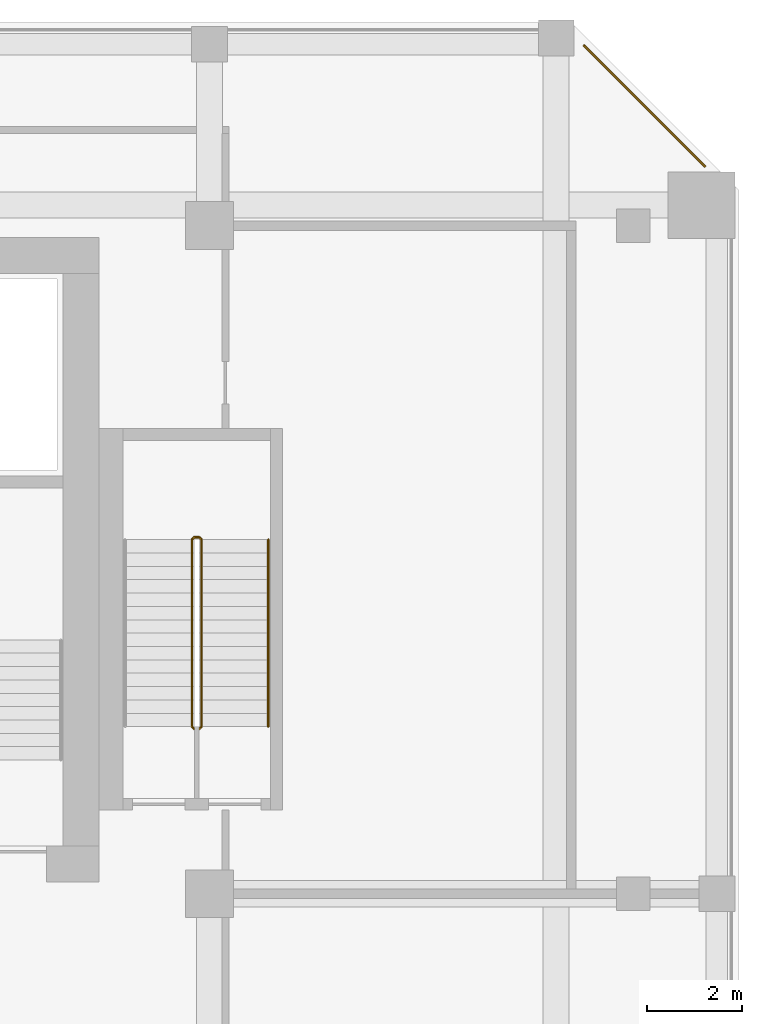
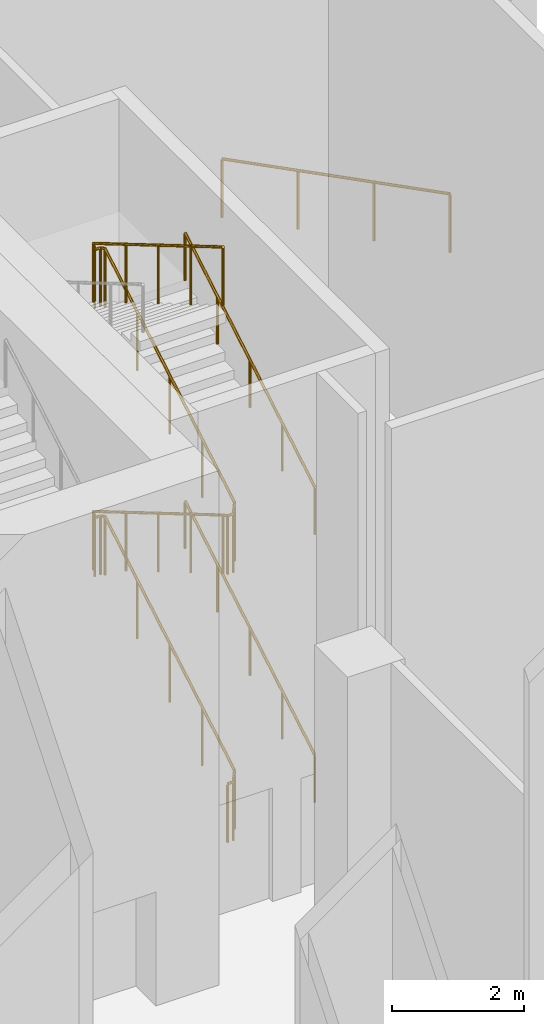
# One storey, part 12 of 12: 4 railings.
"""IFC4 building model written with IfcOpenShell, lengths in metres."""

from ifc_helpers import new_model, si_unit, direction, frame, origin, origin_2d, place, context, subcontext, project, spatial, circle, extrude, material, type_object, element, save


model = new_model("IFC4")

# Units and contexts
model_context = context("Model", 3, precision=1e-05, world=origin(), true_north=direction((0.0, 1.0)))
body_context = subcontext(model_context, "Body", "Model", "MODEL_VIEW")
ifc_project = project(units=[si_unit("LENGTHUNIT", "METRE"), si_unit("AREAUNIT", "SQUARE_METRE"), si_unit("VOLUMEUNIT", "CUBIC_METRE"), si_unit("PLANEANGLEUNIT", "RADIAN"), si_unit("MASSUNIT", "GRAM", prefix="KILO")], contexts=[model_context])

# Site, building, storey
site_placement = place(None, origin())
site = spatial("IfcSite", under=ifc_project, at=site_placement, CompositionType="ELEMENT")
building_placement = place(site_placement, origin())
building = spatial("IfcBuilding", under=site, at=building_placement, Name="Kilnfold Tower and Market Hall", CompositionType="ELEMENT")
storey_placement = place(building_placement, frame((0.0, 0.0, 223.699951171875)))
storey = spatial("IfcBuildingStorey", under=building, at=storey_placement, Name="L55 Refuge Wind Floor", CompositionType="ELEMENT", Elevation=223.699951171875)

# Railings
ifc_material_1 = material(Name="Stainless steel 316", Category="steel")
railing_type_1 = type_object("IfcRailingType", Name="CORE STAIR GUARD 1100", PredefinedType="GUARDRAIL", material=ifc_material_1)
railing_1_placement = place(storey_placement, frame((19.85009765625, 11.449951171875, 0.0)))
element("IfcRailing", 1, at=railing_1_placement, inside=storey, type_object=railing_type_1, Name="L55 Refuge Wind Floor ST5 stair guard 1", PredefinedType="GUARDRAIL", context=body_context, shape_type="SweptSolid", body=[
    extrude(circle(Radius=0.02392578125, at=origin_2d()), frame((0.0, 0.0, 1.076171875), z_axis=(1.0, 0.0, 0.0), x_axis=(0.0, 1.0, 0.0)), (0.0, 0.0, 1.0), 0.099853515625),
    extrude(circle(Radius=0.02392578125, at=origin_2d()), frame((0.099853515625, 0.0, 1.076171875), z_axis=(0.278705021027, 0.278705021027, 0.919046801044), x_axis=(-0.707106781187, 0.707106781187, 0.0)), (0.0, 0.0, 1.0), 0.1796875),
    extrude(circle(Radius=0.02392578125, at=origin_2d()), frame((0.14990234375, 0.050048828125, 1.2412109375), z_axis=(0.0, 0.861528402928, 0.507709376464), x_axis=(-1.0, 0.0, 0.0)), (0.0, 0.0, 1.0), 4.550048828125),
    extrude(circle(Radius=0.02392578125, at=origin_2d()), frame((0.14990234375, 3.969970703125, 3.55126953125), z_axis=(-0.707106781187, 0.707106781187, 0.0), x_axis=(-0.707106781187, -0.707106781187, 0.0)), (0.0, 0.0, 1.0), 0.07080078125),
    extrude(circle(Radius=0.02392578125, at=origin_2d()), frame((0.099853515625, 4.02001953125, 3.55126953125), z_axis=(-1.0, 0.0, 0.0), x_axis=(0.0, -1.0, 0.0)), (0.0, 0.0, 1.0), 0.099853515625),
    extrude(circle(Radius=0.02392578125, at=origin_2d()), frame((0.0, 4.02001953125, 3.55126953125), z_axis=(-0.278705021027, -0.278705021027, 0.919046801044), x_axis=(0.707106781187, -0.707106781187, 0.0)), (0.0, 0.0, 1.0), 0.1796875),
    extrude(circle(Radius=0.02392578125, at=origin_2d()), frame((-0.050048828125, 3.969970703125, 3.71630859375), z_axis=(0.0, -0.861551872859, 0.507669548401), x_axis=(1.0, 0.0, 0.0)), (0.0, 0.0, 1.0), 4.5498046875),
    extrude(circle(Radius=0.02392578125, at=origin_2d()), frame((-0.050048828125, 0.050048828125, 6.02587890625), z_axis=(0.707106781187, -0.707106781187, 0.0), x_axis=(0.707106781187, 0.707106781187, 0.0)), (0.0, 0.0, 1.0), 0.07080078125),
    extrude(circle(Radius=0.02392578125, at=origin_2d()), frame((0.0, 0.0, 6.02587890625), z_axis=(1.0, 0.0, 0.0), x_axis=(0.0, 1.0, 0.0)), (0.0, 0.0, 1.0), 0.099853515625),
    extrude(circle(Radius=0.02392578125, at=origin_2d()), frame((0.099853515625, 0.0, 6.02587890625), z_axis=(0.278705021027, 0.278705021027, 0.919046801044), x_axis=(-0.707106781187, 0.707106781187, 0.0)), (0.0, 0.0, 1.0), 0.1796875),
    extrude(circle(Radius=0.02392578125, at=origin_2d()), frame((0.14990234375, 0.050048828125, 6.19091796875), z_axis=(0.0, 0.861528402928, 0.507709376464), x_axis=(-1.0, 0.0, 0.0)), (0.0, 0.0, 1.0), 4.550048828125),
    extrude(circle(Radius=0.02392578125, at=origin_2d()), frame((0.14990234375, 3.969970703125, 8.5009765625), z_axis=(-0.707106781187, 0.707106781187, 0.0), x_axis=(-0.707106781187, -0.707106781187, 0.0)), (0.0, 0.0, 1.0), 0.07080078125),
    extrude(circle(Radius=0.02392578125, at=origin_2d()), frame((0.099853515625, 4.02001953125, 8.5009765625), z_axis=(-1.0, 0.0, 0.0), x_axis=(0.0, -1.0, 0.0)), (0.0, 0.0, 1.0), 0.099853515625),
    extrude(circle(Radius=0.02392578125, at=origin_2d()), frame((0.0, 4.02001953125, 8.5009765625), z_axis=(-0.278705021027, -0.278705021027, 0.919046801044), x_axis=(0.707106781187, -0.707106781187, 0.0)), (0.0, 0.0, 1.0), 0.1796875),
    extrude(circle(Radius=0.02392578125, at=origin_2d()), frame((-0.050048828125, 3.969970703125, 8.666015625), z_axis=(0.0, -0.861528402928, 0.507709376464), x_axis=(1.0, 0.0, 0.0)), (0.0, 0.0, 1.0), 4.550048828125),
    extrude(circle(Radius=0.02099609375, at=origin_2d()), origin(), (0.0, 0.0, 1.0), 1.052001953125),
    extrude(circle(Radius=0.02099609375, at=origin_2d()), frame((0.099853515625, 0.0, 0.0)), (0.0, 0.0, 1.0), 1.052001953125),
    extrude(circle(Radius=0.02099609375, at=origin_2d()), frame((0.14990234375, 0.050048828125, 0.1650390625)), (0.0, 0.0, 1.0), 1.052001953125),
    extrude(circle(Radius=0.02099609375, at=origin_2d()), frame((0.14990234375, 1.030029296875, 0.74267578125)), (0.0, 0.0, 1.0), 1.052001953125),
    extrude(circle(Radius=0.02099609375, at=origin_2d()), frame((0.14990234375, 2.010009765625, 1.320068359375)), (0.0, 0.0, 1.0), 1.052001953125),
    extrude(circle(Radius=0.02099609375, at=origin_2d()), frame((0.14990234375, 2.989990234375, 1.8974609375)), (0.0, 0.0, 1.0), 1.052001953125),
    extrude(circle(Radius=0.02099609375, at=origin_2d()), frame((0.14990234375, 3.969970703125, 2.47509765625)), (0.0, 0.0, 1.0), 1.052001953125),
    extrude(circle(Radius=0.02099609375, at=origin_2d()), frame((0.099853515625, 4.02001953125, 2.47509765625)), (0.0, 0.0, 1.0), 1.052001953125),
    extrude(circle(Radius=0.02099609375, at=origin_2d()), frame((0.0, 4.02001953125, 2.47509765625)), (0.0, 0.0, 1.0), 1.052001953125),
    extrude(circle(Radius=0.02099609375, at=origin_2d()), frame((-0.050048828125, 3.969970703125, 2.64013671875)), (0.0, 0.0, 1.0), 1.052001953125),
    extrude(circle(Radius=0.02099609375, at=origin_2d()), frame((-0.050048828125, 2.989990234375, 3.217529296875)), (0.0, 0.0, 1.0), 1.052001953125),
    extrude(circle(Radius=0.02099609375, at=origin_2d()), frame((-0.050048828125, 2.010009765625, 3.794921875)), (0.0, 0.0, 1.0), 1.052001953125),
    extrude(circle(Radius=0.02099609375, at=origin_2d()), frame((-0.050048828125, 1.030029296875, 4.37255859375)), (0.0, 0.0, 1.0), 1.052001953125),
    extrude(circle(Radius=0.02099609375, at=origin_2d()), frame((-0.050048828125, 0.050048828125, 4.949951171875)), (0.0, 0.0, 1.0), 1.052001953125),
    extrude(circle(Radius=0.02099609375, at=origin_2d()), frame((0.0, 0.0, 4.949951171875)), (0.0, 0.0, 1.0), 1.052001953125),
    extrude(circle(Radius=0.02099609375, at=origin_2d()), frame((0.099853515625, 0.0, 4.949951171875)), (0.0, 0.0, 1.0), 1.052001953125),
    extrude(circle(Radius=0.02099609375, at=origin_2d()), frame((0.14990234375, 0.050048828125, 5.114990234375)), (0.0, 0.0, 1.0), 1.052001953125),
    extrude(circle(Radius=0.02099609375, at=origin_2d()), frame((0.14990234375, 1.030029296875, 5.6923828125)), (0.0, 0.0, 1.0), 1.052001953125),
    extrude(circle(Radius=0.02099609375, at=origin_2d()), frame((0.14990234375, 2.010009765625, 6.27001953125)), (0.0, 0.0, 1.0), 1.052001953125),
    extrude(circle(Radius=0.02099609375, at=origin_2d()), frame((0.14990234375, 2.989990234375, 6.84765625)), (0.0, 0.0, 1.0), 1.052001953125),
    extrude(circle(Radius=0.02099609375, at=origin_2d()), frame((0.14990234375, 3.969970703125, 7.425048828125)), (0.0, 0.0, 1.0), 1.052001953125),
    extrude(circle(Radius=0.02099609375, at=origin_2d()), frame((0.099853515625, 4.02001953125, 7.425048828125)), (0.0, 0.0, 1.0), 1.052001953125),
    extrude(circle(Radius=0.02099609375, at=origin_2d()), frame((0.0, 4.02001953125, 7.425048828125)), (0.0, 0.0, 1.0), 1.052001953125),
    extrude(circle(Radius=0.02099609375, at=origin_2d()), frame((-0.050048828125, 3.969970703125, 7.590087890625)), (0.0, 0.0, 1.0), 1.052001953125),
    extrude(circle(Radius=0.02099609375, at=origin_2d()), frame((-0.050048828125, 2.989990234375, 8.16748046875)), (0.0, 0.0, 1.0), 1.052001953125),
    extrude(circle(Radius=0.02099609375, at=origin_2d()), frame((-0.050048828125, 2.010009765625, 8.7451171875)), (0.0, 0.0, 1.0), 1.052001953125),
    extrude(circle(Radius=0.02099609375, at=origin_2d()), frame((-0.050048828125, 1.030029296875, 9.32275390625)), (0.0, 0.0, 1.0), 1.052001953125),
    extrude(circle(Radius=0.02099609375, at=origin_2d()), frame((-0.050048828125, 0.050048828125, 9.900146484375)), (0.0, 0.0, 1.0), 1.052001953125),
])
ifc_material_2 = material(Name="Stainless steel 316", Category="steel")
railing_type_2 = type_object("IfcRailingType", Name="CORE STAIR HANDRAIL 900", PredefinedType="HANDRAIL", material=ifc_material_2)
for number, where, name in (
    (2, (21.39990234375, 11.5, 0.1650390625), "L55 Refuge Wind Floor ST5 stair handrail 1"),
    (3, (21.39990234375, 11.5, 5.114990234375), "L55 Refuge Wind Floor ST5 stair handrail 3"),
):
    element("IfcRailing", number, at=place(storey_placement, frame(where)), inside=storey, type_object=railing_type_2, Name=name, PredefinedType="HANDRAIL", context=body_context, shape_type="SweptSolid", body=[
        extrude(circle(Radius=0.02392578125, at=origin_2d()), frame((0.0, 0.0, 0.8759765625), z_axis=(0.0, 0.861528402928, 0.507709376464), x_axis=(-1.0, 0.0, 0.0)), (0.0, 0.0, 1.0), 4.550048828125),
        extrude(circle(Radius=0.02099609375, at=origin_2d()), origin(), (0.0, 0.0, 1.0), 0.851806640625),
        extrude(circle(Radius=0.02099609375, at=origin_2d()), frame((0.0, 0.97998046875, 0.57763671875)), (0.0, 0.0, 1.0), 0.851806640625),
        extrude(circle(Radius=0.02099609375, at=origin_2d()), frame((0.0, 1.9599609375, 1.155029296875)), (0.0, 0.0, 1.0), 0.851806640625),
        extrude(circle(Radius=0.02099609375, at=origin_2d()), frame((0.0, 2.93994140625, 1.732421875)), (0.0, 0.0, 1.0), 0.851806640625),
        extrude(circle(Radius=0.02099609375, at=origin_2d()), frame((0.0, 3.919921875, 2.31005859375)), (0.0, 0.0, 1.0), 0.851806640625),
    ])
ifc_material_3 = material(Name="Stainless steel and laminated glass", Category="steel")
railing_type_3 = type_object("IfcRailingType", Name="GUARD 1100", PredefinedType="GUARDRAIL", material=ifc_material_3)
railing_2_placement = place(storey_placement, frame((30.5439453125, 23.243896484375, 0.0)))
element("IfcRailing", 4, at=railing_2_placement, inside=storey, type_object=railing_type_3, Name="Guard edge NE L55", PredefinedType="GUARDRAIL", context=body_context, shape_type="SweptSolid", body=[
    extrude(circle(Radius=0.02490234375, at=origin_2d()), frame((0.0, 0.0, 1.0751953125), z_axis=(-0.707140964879, 0.707072595841, 0.0), x_axis=(-0.707072595841, -0.707140964879, 0.0)), (0.0, 0.0, 1.0), 3.571044921875),
    extrude(circle(Radius=0.02490234375, at=origin_2d()), origin(), (0.0, 0.0, 1.0), 1.050048828125),
    extrude(circle(Radius=0.02490234375, at=origin_2d()), frame((-0.841796875, 0.841552734375, 0.0)), (0.0, 0.0, 1.0), 1.050048828125),
    extrude(circle(Radius=0.02490234375, at=origin_2d()), frame((-1.683349609375, 1.683349609375, 0.0)), (0.0, 0.0, 1.0), 1.050048828125),
    extrude(circle(Radius=0.02490234375, at=origin_2d()), frame((-2.525146484375, 2.52490234375, 0.0)), (0.0, 0.0, 1.0), 1.050048828125),
])

save(model, "model.ifc")
